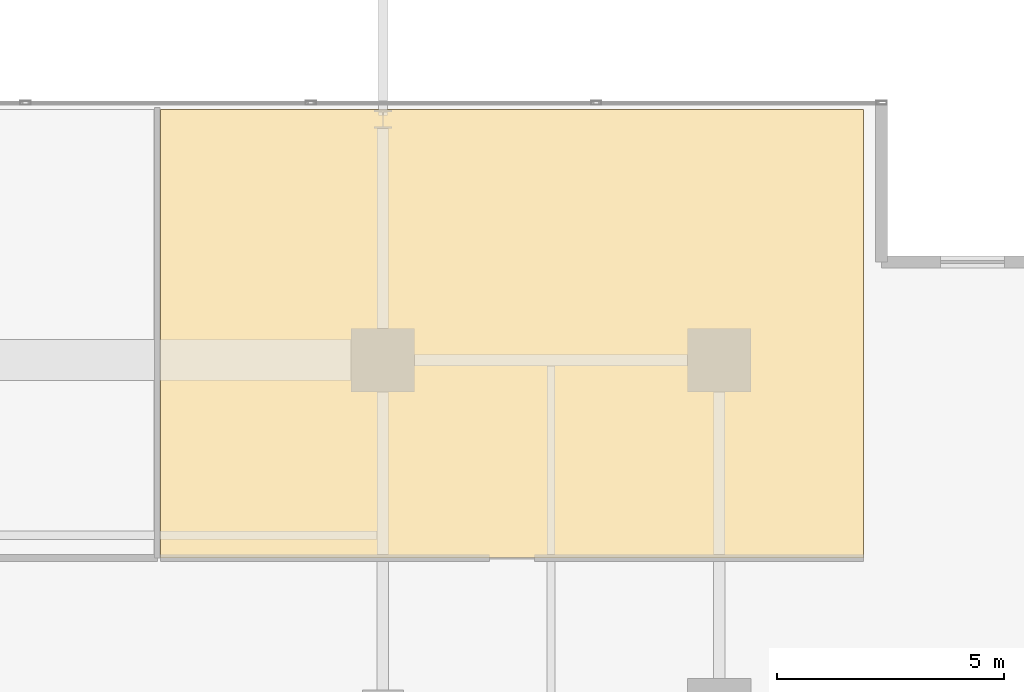
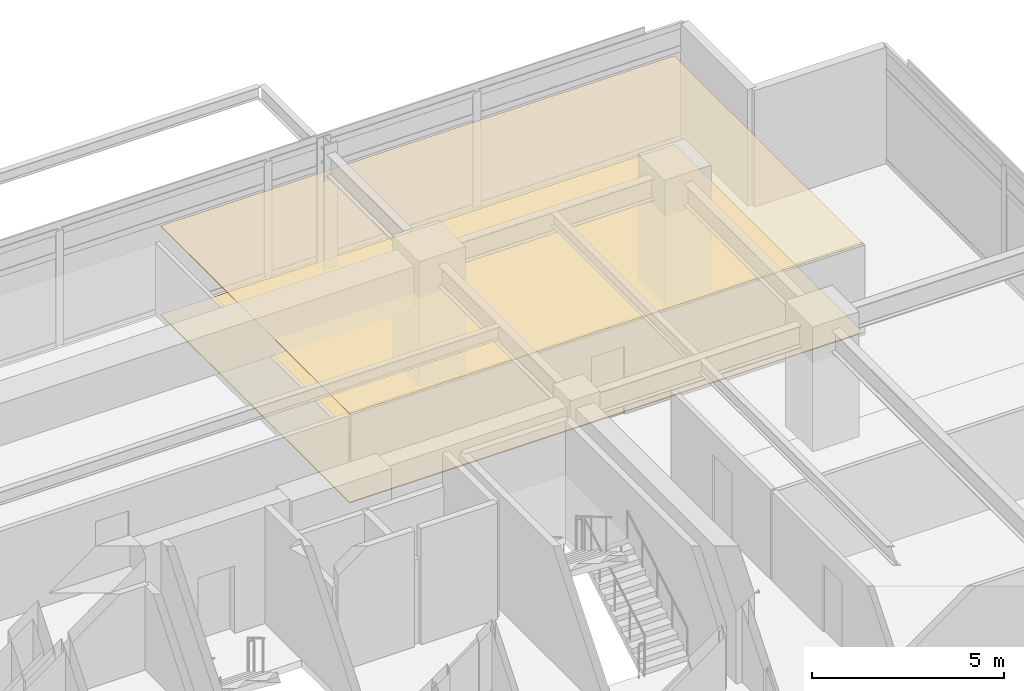
# One storey, part 22 of 22: 2 coverings.
"""IFC4 building model written with IfcOpenShell, lengths in metres."""

from ifc_helpers import new_model, si_unit, direction, frame, origin, place, context, subcontext, project, spatial, polyline, outline, extrude, material, layer, layer_set, type_object, element, save


model = new_model("IFC4")

# Units and contexts
model_context = context("Model", 3, precision=1e-05, world=origin(), true_north=direction((0.0, 1.0)))
body_context = subcontext(model_context, "Body", "Model", "MODEL_VIEW")
ifc_project = project(units=[si_unit("LENGTHUNIT", "METRE"), si_unit("AREAUNIT", "SQUARE_METRE"), si_unit("VOLUMEUNIT", "CUBIC_METRE"), si_unit("PLANEANGLEUNIT", "RADIAN"), si_unit("MASSUNIT", "GRAM", prefix="KILO")], contexts=[model_context])

# Site, building, storey
site_placement = place(None, origin())
site = spatial("IfcSite", under=ifc_project, at=site_placement, CompositionType="ELEMENT")
building_placement = place(site_placement, origin())
building = spatial("IfcBuilding", under=site, at=building_placement, Name="Kovane Verandah Tower", CompositionType="ELEMENT")
storey_placement = place(building_placement, frame((0.0, 0.0, 229.199951171875)))
storey = spatial("IfcBuildingStorey", under=building, at=storey_placement, Name="L53", CompositionType="ELEMENT", Elevation=229.199951171875)

# Coverings
ifc_material_1 = material(Name="Perforated Acoustic Mineral-Fibre Ceiling Tile", Category="gypsum")
ifc_layer_1 = layer(ifc_material_1, 0.02490234375)
ifc_layer_set_1 = layer_set([ifc_layer_1], Name="Perforated Acoustic Mineral-Fibre Ceiling Tile")
covering_type_1 = type_object("IfcCoveringType", Name="CV-CEIL-25", PredefinedType="CEILING", material=ifc_layer_set_1)
covering_1_placement = place(storey_placement, frame((0.0, 0.0, 2.824951171875)))
element("IfcCovering", 1, at=covering_1_placement, inside=storey, type_object=covering_type_1, Name="L53 Focus Studio N3 Acoustic Ceiling", PredefinedType="CEILING", context=body_context, shape_type="SweptSolid", body=[
    extrude(outline(polyline([(46.109375, 39.85009765625), (61.5693359375, 39.85009765625), (61.5693359375, 49.710205078125), (46.109375, 49.710205078125), (46.109375, 39.85009765625)])), origin(), (0.0, 0.0, 1.0), 0.025146484375),
])
ifc_material_2 = material(Name="Polished Terrazzo and Raised-Access Carpet Tile Finish", Category="concrete")
ifc_layer_2 = layer(ifc_material_2, 0.030029296875)
ifc_layer_set_2 = layer_set([ifc_layer_2], Name="Polished Terrazzo and Raised-Access Carpet Tile Finish")
covering_type_2 = type_object("IfcCoveringType", Name="CV-FLOR-30", PredefinedType="FLOORING", material=ifc_layer_set_2)
covering_2_placement = place(storey_placement, origin())
element("IfcCovering", 2, at=covering_2_placement, inside=storey, type_object=covering_type_2, Name="L53 Focus Studio N3 Floor Finish", PredefinedType="FLOORING", context=body_context, shape_type="SweptSolid", body=[
    extrude(outline(polyline([(46.109375, 39.85009765625), (61.5693359375, 39.85009765625), (61.5693359375, 49.710205078125), (46.109375, 49.710205078125), (46.109375, 39.85009765625)])), origin(), (0.0, 0.0, 1.0), 0.030029296875),
])

save(model, "model.ifc")
